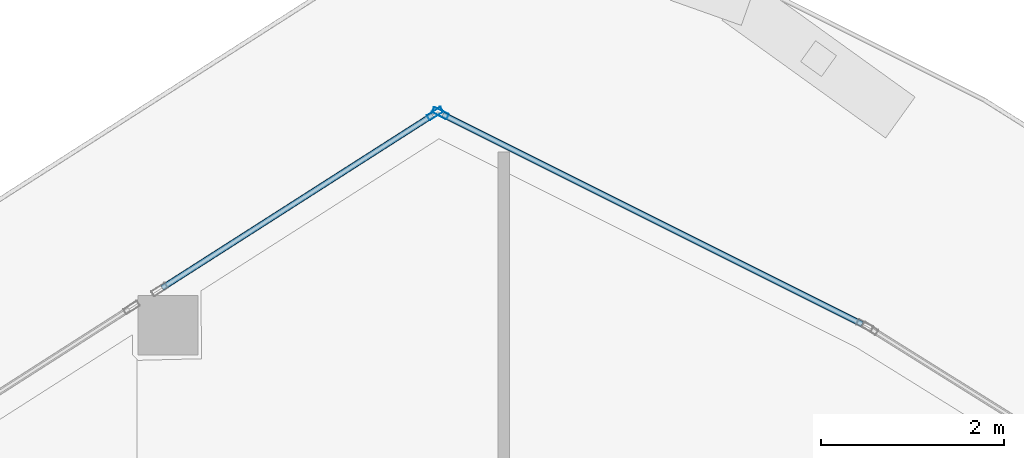
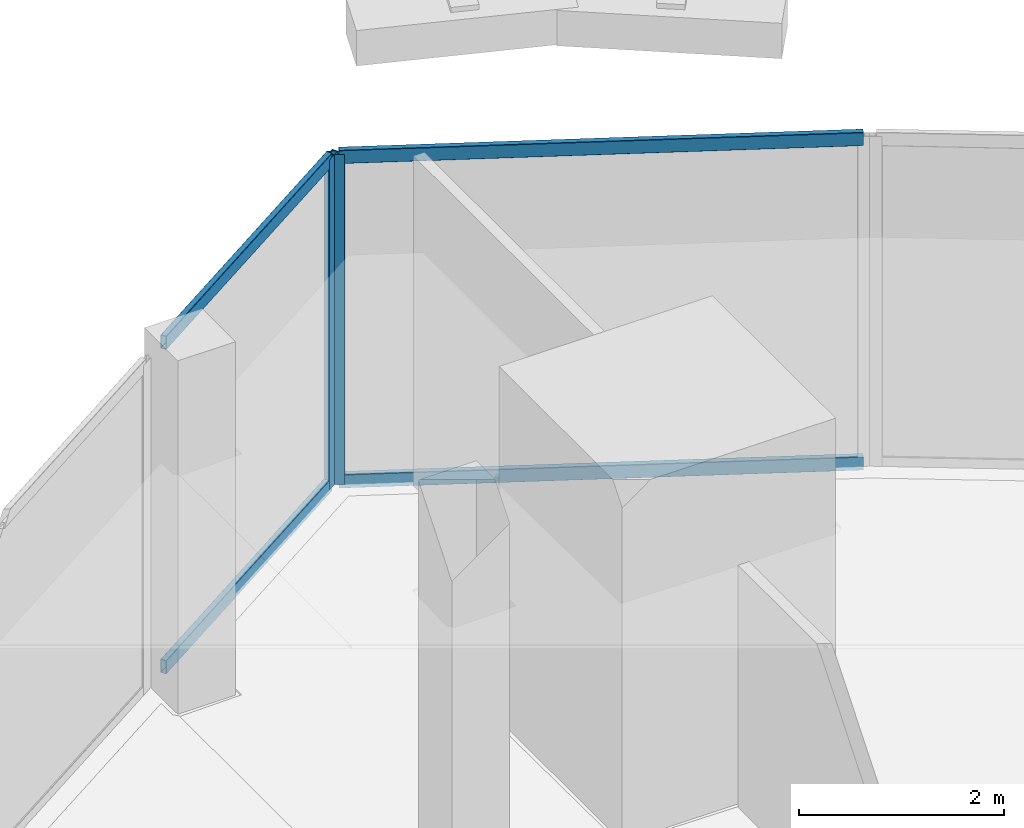
# One storey, part 26 of 44: 6 members, 2 elements without a shape of their own.
"""IFC4 building model written with IfcOpenShell, lengths in metres."""

from ifc_helpers import new_model, si_unit, direction, frame, origin, origin_2d, place, context, subcontext, project, spatial, hollow_rectangle, extrude, material, layer, layer_set, material_profile, profile_set, type_object, element, aggregate, save


model = new_model("IFC4")

# Units and contexts
model_context = context("Model", 3, precision=1e-05, world=origin(), true_north=direction((0.0, 1.0)))
body_context = subcontext(model_context, "Body", "Model", "MODEL_VIEW")
ifc_project = project(units=[si_unit("LENGTHUNIT", "METRE"), si_unit("AREAUNIT", "SQUARE_METRE"), si_unit("VOLUMEUNIT", "CUBIC_METRE"), si_unit("PLANEANGLEUNIT", "RADIAN"), si_unit("MASSUNIT", "GRAM", prefix="KILO")], contexts=[model_context])

# Site, building, storey
site_placement = place(None, origin())
site = spatial("IfcSite", under=ifc_project, at=site_placement, CompositionType="ELEMENT")
building_placement = place(site_placement, origin())
building = spatial("IfcBuilding", under=site, at=building_placement, Name="Qorvath Tower", CompositionType="ELEMENT")
storey_placement = place(building_placement, frame((0.0, 0.0, 57.60009765625)))
storey = spatial("IfcBuildingStorey", under=building, at=storey_placement, Name="L12", CompositionType="ELEMENT", Elevation=57.60009765625)

# Curtain wall, member
ifc_material_1 = material(Name="Anodised aluminium and triple low-E glass", Category="aluminium")
ifc_layer = layer(ifc_material_1, 0.179931640625)
ifc_layer_set = layer_set([ifc_layer], Name="CW-SYS-2")
curtain_wall_type = type_object("IfcCurtainWallType", Name="CW-SYS-2", PredefinedType="NOTDEFINED", material=ifc_layer_set)
curtain_wall_1_placement = place(storey_placement, origin())
curtain_wall_1 = element("IfcCurtainWall", 1, at=curtain_wall_1_placement, inside=storey, type_object=curtain_wall_type, Name="Curtain Wall CW-2 CW-T-L12-15.1", PredefinedType="NOTDEFINED")
ifc_material_2 = material(Name="Anodised aluminium 6063-T6", Category="aluminium")
ifc_material_profile_1 = material_profile(ifc_material_2, hollow_rectangle(XDim=0.06494140625, YDim=0.179931640625, WallThickness=0.00341796875, InnerFilletRadius=0.00341796875, OuterFilletRadius=0.007080078125, at=origin_2d()), Name="CWM 180x65")
ifc_profile_set_1 = profile_set([ifc_material_profile_1], Name="Anodised aluminium 6063-T6")
member_type_1 = type_object("IfcMemberType", Name="CWM-180", PredefinedType="MULLION", material=ifc_profile_set_1)
member_1_placement = place(storey_placement, frame((-15.029052734375, 32.811279296875, 0.0), z_axis=(0.0, 0.0, 1.0), x_axis=(-0.447213595499, -0.894427191001, 0.0)))
member_1 = element("IfcMember", 2, at=member_1_placement, type_object=member_type_1, Name="CW-2 mullion 2", PredefinedType="MULLION", context=body_context, shape_type="SweptSolid", body=[
    extrude(hollow_rectangle(XDim=0.06494140625, YDim=0.179931640625, WallThickness=0.00341796875, InnerFilletRadius=0.00341796875, OuterFilletRadius=0.007080078125, at=origin_2d()), origin(), (0.0, 0.0, 1.0), 3.919921875),
])

curtain_wall_2_placement = place(storey_placement, origin())
curtain_wall_2 = element("IfcCurtainWall", 3, at=curtain_wall_2_placement, inside=storey, type_object=curtain_wall_type, Name="Curtain Wall CW-2 CW-T-L12-16.1", PredefinedType="NOTDEFINED")
member_2_placement = place(storey_placement, frame((-15.08544921875, 32.808349609375, 0.0), z_axis=(0.0, 0.0, 1.0), x_axis=(0.53850821823, -0.842620257826, 0.0)))
member_2 = element("IfcMember", 4, at=member_2_placement, type_object=member_type_1, Name="CW-2 mullion 1", PredefinedType="MULLION", context=body_context, shape_type="SweptSolid", body=[
    extrude(hollow_rectangle(XDim=0.06494140625, YDim=0.179931640625, WallThickness=0.00341796875, InnerFilletRadius=0.00341796875, OuterFilletRadius=0.007080078125, at=origin_2d()), origin(), (0.0, 0.0, 1.0), 3.919921875),
])

# Member
ifc_material_3 = material(Name="Anodised aluminium 6063-T6", Category="aluminium")
ifc_material_profile_2 = material_profile(ifc_material_3, hollow_rectangle(XDim=0.06494140625, YDim=0.159912109375, WallThickness=0.00341796875, InnerFilletRadius=0.00341796875, OuterFilletRadius=0.007080078125, at=origin_2d()), Name="CWT 160x65")
ifc_profile_set_2 = profile_set([ifc_material_profile_2], Name="Anodised aluminium 6063-T6")
member_type_2 = type_object("IfcMemberType", Name="CWT-160", PredefinedType="USERDEFINED", material=ifc_profile_set_2)
member_3_placement = place(storey_placement, frame((-10.4267578125, 30.51025390625, 0.032470703125), z_axis=(-0.894427191, 0.4472135955, 0.0), x_axis=(-0.4472135955, -0.894427191, 0.0)))
member_3 = element("IfcMember", 5, at=member_3_placement, type_object=member_type_2, Name="CW-2 transom 1.1", ObjectType="TRANSOM", PredefinedType="USERDEFINED", context=body_context, shape_type="SweptSolid", body=[
    extrude(hollow_rectangle(XDim=0.06494140625, YDim=0.159912109375, WallThickness=0.00341796875, InnerFilletRadius=0.00341796875, OuterFilletRadius=0.007080078125, at=origin_2d()), origin(), (0.0, 0.0, 1.0), 5.113037109375),
])

member_4_placement = place(storey_placement, frame((-10.4267578125, 30.51025390625, 3.887451171875), z_axis=(-0.894427191, 0.4472135955, 0.0), x_axis=(-0.4472135955, -0.894427191, 0.0)))
member_4 = element("IfcMember", 6, at=member_4_placement, type_object=member_type_2, Name="CW-2 transom 1.2", ObjectType="TRANSOM", PredefinedType="USERDEFINED", context=body_context, shape_type="SweptSolid", body=[
    extrude(hollow_rectangle(XDim=0.06494140625, YDim=0.159912109375, WallThickness=0.00341796875, InnerFilletRadius=0.00341796875, OuterFilletRadius=0.007080078125, at=origin_2d()), origin(), (0.0, 0.0, 1.0), 5.113037109375),
])

aggregate(curtain_wall_1, [member_1, member_3, member_4])

member_5_placement = place(storey_placement, frame((-15.11279296875, 32.791015625, 0.032470703125), z_axis=(-0.842609271125, -0.538525409071, 0.0), x_axis=(0.538525409071, -0.842609271125, 0.0)))
member_5 = element("IfcMember", 7, at=member_5_placement, type_object=member_type_2, Name="CW-2 transom 1.1", ObjectType="TRANSOM", PredefinedType="USERDEFINED", context=body_context, shape_type="SweptSolid", body=[
    extrude(hollow_rectangle(XDim=0.06494140625, YDim=0.159912109375, WallThickness=0.00341796875, InnerFilletRadius=0.00341796875, OuterFilletRadius=0.007080078125, at=origin_2d()), origin(), (0.0, 0.0, 1.0), 3.502197265625),
])

member_6_placement = place(storey_placement, frame((-15.11279296875, 32.791015625, 3.887451171875), z_axis=(-0.842609271125, -0.538525409071, 0.0), x_axis=(0.538525409071, -0.842609271125, 0.0)))
member_6 = element("IfcMember", 8, at=member_6_placement, type_object=member_type_2, Name="CW-2 transom 1.2", ObjectType="TRANSOM", PredefinedType="USERDEFINED", context=body_context, shape_type="SweptSolid", body=[
    extrude(hollow_rectangle(XDim=0.06494140625, YDim=0.159912109375, WallThickness=0.00341796875, InnerFilletRadius=0.00341796875, OuterFilletRadius=0.007080078125, at=origin_2d()), origin(), (0.0, 0.0, 1.0), 3.502197265625),
])

aggregate(curtain_wall_2, [member_2, member_5, member_6])

save(model, "model.ifc")
